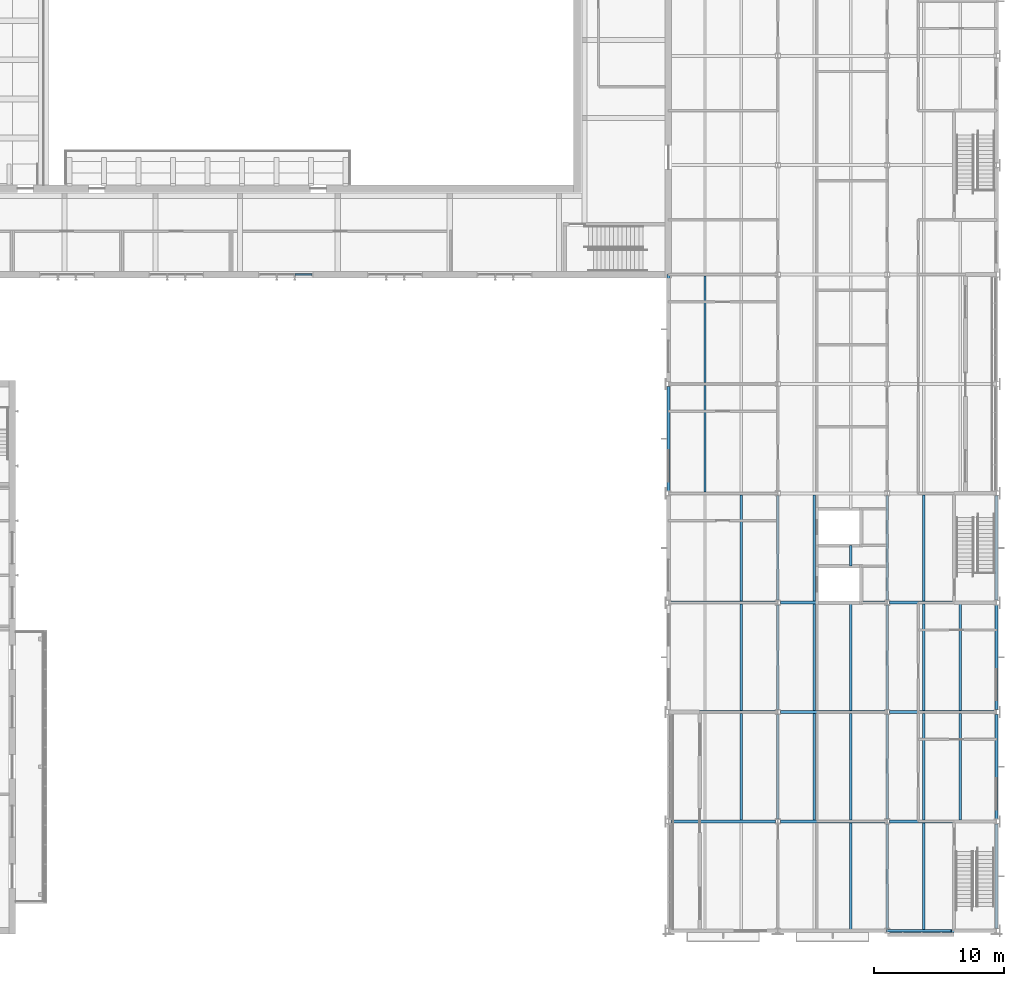
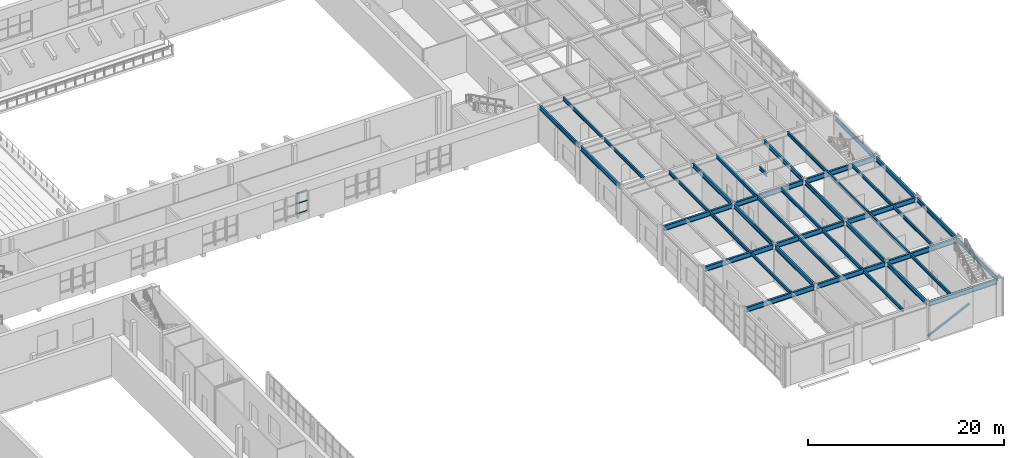
# One storey, part 25 of 127: 41 beams, 4 members, 1 element without a shape of its own.
"""IFC4 building model written with IfcOpenShell, lengths in metres."""

from ifc_helpers import new_model, si_unit, direction, frame, origin, origin_2d, place, context, subcontext, project, spatial, rectangle, hollow_rectangle, i_section, extrude, material, material_profile, profile_set, type_object, element, aggregate, save


model = new_model("IFC4")

# Units and contexts
model_context = context("Model", 3, precision=1e-05, world=origin(), true_north=direction((0.0, 1.0)))
body_context = subcontext(model_context, "Body", "Model", "MODEL_VIEW")
ifc_project = project(units=[si_unit("LENGTHUNIT", "METRE"), si_unit("AREAUNIT", "SQUARE_METRE"), si_unit("VOLUMEUNIT", "CUBIC_METRE"), si_unit("PLANEANGLEUNIT", "RADIAN"), si_unit("MASSUNIT", "GRAM", prefix="KILO")], contexts=[model_context])

# Site, building, storey
site_placement = place(None, origin())
site = spatial("IfcSite", under=ifc_project, at=site_placement, CompositionType="ELEMENT")
building_placement = place(site_placement, origin())
building = spatial("IfcBuilding", under=site, at=building_placement, Name="Ljudholm Concert House", CompositionType="ELEMENT")
storey_placement = place(building_placement, frame((0.0, 0.0, 5.39990234375)))
storey = spatial("IfcBuildingStorey", under=building, at=storey_placement, Name="L01", CompositionType="ELEMENT", Elevation=5.39990234375)

# Beams
ifc_material_1 = material(Name="Steel ASTM A992", Category="steel")
ifc_material_profile_1 = material_profile(ifc_material_1, i_section(OverallWidth=0.177734375, OverallDepth=0.406494140625, WebThickness=0.0078125, FlangeThickness=0.012939453125, FilletRadius=0.01025390625, at=origin_2d()), Name="W16X40")
ifc_profile_set_1 = profile_set([ifc_material_profile_1], Name="Steel ASTM A992")
beam_type_1 = type_object("IfcBeamType", Name="STEEL BEAM W16X40", PredefinedType="BEAM", material=ifc_profile_set_1)
for number, where, z_axis, x_axis, name in (
    (1, (102.0, 12.5146484375, 4.4169921875), (0.0, 1.0, 0.0), (-1.0, 0.0, 0.0), "Beam BOH-L02-sb-102-12.4"),
    (2, (102.0, 20.91455078125, 4.4169921875), (0.0, 1.0, 0.0), (-1.0, 0.0, 0.0), "Beam BOH-L02-sb-102-20.8"),
    (3, (102.0, 29.314453125, 4.4169921875), (0.0, 1.0, 0.0), (-1.0, 0.0, 0.0), "Beam BOH-L02-sb-102-29.2"),
    (4, (99.199951171875, 37.714599609375, 4.4169921875), (0.0, 1.0, 0.0), (-1.0, 0.0, 0.0), "Beam BOH-L02-sb-99.2-37.6"),
    (5, (99.199951171875, 46.114501953125, 4.4169921875), (0.0, 1.0, 0.0), (-1.0, 0.0, 0.0), "Beam BOH-L02-sb-99.2-46"),
    (6, (110.39990234375, 4.114501953125, 4.4169921875), (0.0, 1.0, 0.0), (-1.0, 0.0, 0.0), "Beam BOH-L02-sb-110.4-4"),
    (7, (107.60009765625, 12.5146484375, 4.4169921875), (0.0, 1.0, 0.0), (-1.0, 0.0, 0.0), "Beam BOH-L02-sb-107.6-12.4"),
    (8, (110.39990234375, 12.5146484375, 4.4169921875), (0.0, 1.0, 0.0), (-1.0, 0.0, 0.0), "Beam BOH-L02-sb-110.4-12.4"),
    (9, (107.60009765625, 20.91455078125, 4.4169921875), (0.0, 1.0, 0.0), (-1.0, 0.0, 0.0), "Beam BOH-L02-sb-107.6-20.8"),
    (10, (110.39990234375, 20.91455078125, 4.4169921875), (0.0, 1.0, 0.0), (-1.0, 0.0, 0.0), "Beam BOH-L02-sb-110.4-20.8"),
    (11, (107.60009765625, 29.314453125, 4.4169921875), (0.0, 1.0, 0.0), (-1.0, 0.0, 0.0), "Beam BOH-L02-sb-107.6-29.2"),
):
    element("IfcBeam", number, at=place(storey_placement, frame(where, z_axis=z_axis, x_axis=x_axis)), inside=storey, type_object=beam_type_1, Name=name, PredefinedType="BEAM", context=body_context, shape_type="SweptSolid", body=[
        extrude(i_section(OverallWidth=0.177734375, OverallDepth=0.406494140625, WebThickness=0.0078125, FlangeThickness=0.012939453125, FilletRadius=0.01025390625, at=origin_2d()), origin(), (0.0, 0.0, 1.0), 8.1708984375),
    ])
beam_1_placement = place(storey_placement, frame((110.39990234375, 32.0, 4.4169921875), z_axis=(0.0, 1.0, 0.0), x_axis=(-1.0, 0.0, 0.0)))
element("IfcBeam", 12, at=beam_1_placement, inside=storey, type_object=beam_type_1, Name="Beam BOH-L02-sb-110.4-29.2-1", PredefinedType="BEAM", context=body_context, shape_type="SweptSolid", body=[
    extrude(i_section(OverallWidth=0.177734375, OverallDepth=0.406494140625, WebThickness=0.0078125, FlangeThickness=0.012939453125, FilletRadius=0.01025390625, at=origin_2d()), origin(), (0.0, 0.0, 1.0), 1.60009765625),
])
for number, where, z_axis, x_axis, name in (
    (13, (116.0, 4.114501953125, 4.4169921875), (0.0, 1.0, 0.0), (-1.0, 0.0, 0.0), "Beam BOH-L02-sb-116-4"),
    (14, (116.0, 12.5146484375, 4.4169921875), (0.0, 1.0, 0.0), (-1.0, 0.0, 0.0), "Beam BOH-L02-sb-116-12.4"),
    (15, (118.800048828125, 12.5146484375, 4.4169921875), (0.0, 1.0, 0.0), (-1.0, 0.0, 0.0), "Beam BOH-L02-sb-118.8-12.4"),
    (16, (116.0, 20.91455078125, 4.4169921875), (0.0, 1.0, 0.0), (-1.0, 0.0, 0.0), "Beam BOH-L02-sb-116-20.8"),
    (17, (118.800048828125, 20.91455078125, 4.4169921875), (0.0, 1.0, 0.0), (-1.0, 0.0, 0.0), "Beam BOH-L02-sb-118.8-20.8"),
    (18, (116.0, 29.314453125, 4.4169921875), (0.0, 1.0, 0.0), (-1.0, 0.0, 0.0), "Beam BOH-L02-sb-116-29.2"),
):
    element("IfcBeam", number, at=place(storey_placement, frame(where, z_axis=z_axis, x_axis=x_axis)), inside=storey, type_object=beam_type_1, Name=name, PredefinedType="BEAM", context=body_context, shape_type="SweptSolid", body=[
        extrude(i_section(OverallWidth=0.177734375, OverallDepth=0.406494140625, WebThickness=0.0078125, FlangeThickness=0.012939453125, FilletRadius=0.01025390625, at=origin_2d()), origin(), (0.0, 0.0, 1.0), 8.1708984375),
    ])
ifc_material_2 = material(Name="Steel ASTM A992", Category="steel")
ifc_material_profile_2 = material_profile(ifc_material_2, i_section(OverallWidth=0.209228515625, OverallDepth=0.533447265625, WebThickness=0.01025390625, FlangeThickness=0.015625, FilletRadius=0.012939453125, at=origin_2d()), Name="W21X62")
ifc_profile_set_2 = profile_set([ifc_material_profile_2], Name="Steel ASTM A992")
beam_type_2 = type_object("IfcBeamType", Name="STEEL BEAM W21X62", PredefinedType="BEAM", material=ifc_profile_set_2)
beam_2_placement = place(storey_placement, frame((96.39990234375, 37.78662109375, 4.353515625), z_axis=(0.0, 1.0, 0.0), x_axis=(-1.0, 0.0, 0.0)))
element("IfcBeam", 19, at=beam_2_placement, inside=storey, type_object=beam_type_2, Name="Beam BOH-L02-gy-96.4-37.6", PredefinedType="BEAM", context=body_context, shape_type="SweptSolid", body=[
    extrude(i_section(OverallWidth=0.209228515625, OverallDepth=0.533447265625, WebThickness=0.01025390625, FlangeThickness=0.015625, FilletRadius=0.012939453125, at=origin_2d()), origin(), (0.0, 0.0, 1.0), 8.026611328125),
])
beam_3_placement = place(storey_placement, frame((96.39990234375, 46.186767578125, 4.353515625), z_axis=(0.0, 1.0, 0.0), x_axis=(-1.0, 0.0, 0.0)))
element("IfcBeam", 20, at=beam_3_placement, inside=storey, type_object=beam_type_2, Name="Beam BOH-L02-gy-96.4-46", PredefinedType="BEAM", context=body_context, shape_type="SweptSolid", body=[
    extrude(i_section(OverallWidth=0.209228515625, OverallDepth=0.533447265625, WebThickness=0.01025390625, FlangeThickness=0.015625, FilletRadius=0.012939453125, at=origin_2d()), origin(), (0.0, 0.0, 1.0), 8.213134765625),
])
beam_4_placement = place(storey_placement, frame((104.800048828125, 12.586669921875, 4.353515625), z_axis=(0.0, 1.0, 0.0), x_axis=(-1.0, 0.0, 0.0)))
element("IfcBeam", 21, at=beam_4_placement, inside=storey, type_object=beam_type_2, Name="Beam BOH-L02-gy-104.8-12.4", PredefinedType="BEAM", context=body_context, shape_type="SweptSolid", body=[
    extrude(i_section(OverallWidth=0.209228515625, OverallDepth=0.533447265625, WebThickness=0.01025390625, FlangeThickness=0.015625, FilletRadius=0.012939453125, at=origin_2d()), origin(), (0.0, 0.0, 1.0), 8.026611328125),
])
beam_5_placement = place(storey_placement, frame((104.800048828125, 20.986572265625, 4.353515625), z_axis=(0.0, 1.0, 0.0), x_axis=(-1.0, 0.0, 0.0)))
element("IfcBeam", 22, at=beam_5_placement, inside=storey, type_object=beam_type_2, Name="Beam BOH-L02-gy-104.8-20.8", PredefinedType="BEAM", context=body_context, shape_type="SweptSolid", body=[
    extrude(i_section(OverallWidth=0.209228515625, OverallDepth=0.533447265625, WebThickness=0.01025390625, FlangeThickness=0.015625, FilletRadius=0.012939453125, at=origin_2d()), origin(), (0.0, 0.0, 1.0), 8.02685546875),
])
for number, where, z_axis, x_axis, name in (
    (23, (104.800048828125, 29.38671875, 4.353515625), (0.0, 1.0, 0.0), (-1.0, 0.0, 0.0), "Beam BOH-L02-gy-104.8-29.2"),
    (24, (113.199951171875, 4.186767578125, 4.353515625), (0.0, 1.0, 0.0), (-1.0, 0.0, 0.0), "Beam BOH-L02-gy-113.2-4"),
    (25, (113.199951171875, 12.586669921875, 4.353515625), (0.0, 1.0, 0.0), (-1.0, 0.0, 0.0), "Beam BOH-L02-gy-113.2-12.4"),
):
    element("IfcBeam", number, at=place(storey_placement, frame(where, z_axis=z_axis, x_axis=x_axis)), inside=storey, type_object=beam_type_2, Name=name, PredefinedType="BEAM", context=body_context, shape_type="SweptSolid", body=[
        extrude(i_section(OverallWidth=0.209228515625, OverallDepth=0.533447265625, WebThickness=0.01025390625, FlangeThickness=0.015625, FilletRadius=0.012939453125, at=origin_2d()), origin(), (0.0, 0.0, 1.0), 8.026611328125),
    ])
beam_6_placement = place(storey_placement, frame((113.199951171875, 20.986572265625, 4.353515625), z_axis=(0.0, 1.0, 0.0), x_axis=(-1.0, 0.0, 0.0)))
element("IfcBeam", 26, at=beam_6_placement, inside=storey, type_object=beam_type_2, Name="Beam BOH-L02-gy-113.2-20.8", PredefinedType="BEAM", context=body_context, shape_type="SweptSolid", body=[
    extrude(i_section(OverallWidth=0.209228515625, OverallDepth=0.533447265625, WebThickness=0.01025390625, FlangeThickness=0.015625, FilletRadius=0.012939453125, at=origin_2d()), origin(), (0.0, 0.0, 1.0), 8.02685546875),
])
for number, where, z_axis, x_axis, name in (
    (27, (113.199951171875, 29.38671875, 4.353515625), (0.0, 1.0, 0.0), (-1.0, 0.0, 0.0), "Beam BOH-L02-gy-113.2-29.2"),
    (28, (121.60009765625, 4.186767578125, 4.353515625), (0.0, 1.0, 0.0), (-1.0, 0.0, 0.0), "Beam BOH-L02-gy-121.6-4"),
    (29, (121.60009765625, 12.586669921875, 4.353515625), (0.0, 1.0, 0.0), (-1.0, 0.0, 0.0), "Beam BOH-L02-gy-121.6-12.4"),
):
    element("IfcBeam", number, at=place(storey_placement, frame(where, z_axis=z_axis, x_axis=x_axis)), inside=storey, type_object=beam_type_2, Name=name, PredefinedType="BEAM", context=body_context, shape_type="SweptSolid", body=[
        extrude(i_section(OverallWidth=0.209228515625, OverallDepth=0.533447265625, WebThickness=0.01025390625, FlangeThickness=0.015625, FilletRadius=0.012939453125, at=origin_2d()), origin(), (0.0, 0.0, 1.0), 8.026611328125),
    ])
beam_7_placement = place(storey_placement, frame((121.60009765625, 20.986572265625, 4.353515625), z_axis=(0.0, 1.0, 0.0), x_axis=(-1.0, 0.0, 0.0)))
element("IfcBeam", 30, at=beam_7_placement, inside=storey, type_object=beam_type_2, Name="Beam BOH-L02-gy-121.6-20.8", PredefinedType="BEAM", context=body_context, shape_type="SweptSolid", body=[
    extrude(i_section(OverallWidth=0.209228515625, OverallDepth=0.533447265625, WebThickness=0.01025390625, FlangeThickness=0.015625, FilletRadius=0.012939453125, at=origin_2d()), origin(), (0.0, 0.0, 1.0), 8.02685546875),
])
beam_8_placement = place(storey_placement, frame((121.60009765625, 29.38671875, 4.353515625), z_axis=(0.0, 1.0, 0.0), x_axis=(-1.0, 0.0, 0.0)))
element("IfcBeam", 31, at=beam_8_placement, inside=storey, type_object=beam_type_2, Name="Beam BOH-L02-gy-121.6-29.2", PredefinedType="BEAM", context=body_context, shape_type="SweptSolid", body=[
    extrude(i_section(OverallWidth=0.209228515625, OverallDepth=0.533447265625, WebThickness=0.01025390625, FlangeThickness=0.015625, FilletRadius=0.012939453125, at=origin_2d()), origin(), (0.0, 0.0, 1.0), 8.026611328125),
])
ifc_material_3 = material(Name="Steel ASTM A992", Category="steel")
ifc_material_profile_3 = material_profile(ifc_material_3, i_section(OverallWidth=0.22900390625, OverallDepth=0.612060546875, WebThickness=0.011962890625, FlangeThickness=0.01953125, FilletRadius=0.0126953125, at=origin_2d()), Name="W24X84")
ifc_profile_set_3 = profile_set([ifc_material_profile_3], Name="Steel ASTM A992")
beam_type_3 = type_object("IfcBeamType", Name="STEEL BEAM W24X84", PredefinedType="BEAM", material=ifc_profile_set_3)
for number, where, z_axis, x_axis, name in (
    (32, (113.38671875, 4.0, 4.31396484375), (1.0, 0.0, 0.0), (0.0, 1.0, 0.0), "Beam BOH-L02-gx-113.2-4"),
    (33, (96.586669921875, 12.39990234375, 4.31396484375), (1.0, 0.0, 0.0), (0.0, 1.0, 0.0), "Beam BOH-L02-gx-96.4-12.4"),
):
    element("IfcBeam", number, at=place(storey_placement, frame(where, z_axis=z_axis, x_axis=x_axis)), inside=storey, type_object=beam_type_3, Name=name, PredefinedType="BEAM", context=body_context, shape_type="SweptSolid", body=[
        extrude(i_section(OverallWidth=0.22900390625, OverallDepth=0.612060546875, WebThickness=0.011962890625, FlangeThickness=0.01953125, FilletRadius=0.0126953125, at=origin_2d()), origin(), (0.0, 0.0, 1.0), 8.026611328125),
    ])
beam_9_placement = place(storey_placement, frame((104.986572265625, 12.39990234375, 4.31396484375), z_axis=(1.0, 0.0, 0.0), x_axis=(0.0, 1.0, 0.0)))
element("IfcBeam", 34, at=beam_9_placement, inside=storey, type_object=beam_type_3, Name="Beam BOH-L02-gx-104.8-12.4", PredefinedType="BEAM", context=body_context, shape_type="SweptSolid", body=[
    extrude(i_section(OverallWidth=0.22900390625, OverallDepth=0.612060546875, WebThickness=0.011962890625, FlangeThickness=0.01953125, FilletRadius=0.0126953125, at=origin_2d()), origin(), (0.0, 0.0, 1.0), 8.02685546875),
])
for number, where, z_axis, x_axis, name in (
    (35, (113.38671875, 12.39990234375, 4.31396484375), (1.0, 0.0, 0.0), (0.0, 1.0, 0.0), "Beam BOH-L02-gx-113.2-12.4"),
    (36, (96.586669921875, 20.800048828125, 4.31396484375), (1.0, 0.0, 0.0), (0.0, 1.0, 0.0), "Beam BOH-L02-gx-96.4-20.8"),
):
    element("IfcBeam", number, at=place(storey_placement, frame(where, z_axis=z_axis, x_axis=x_axis)), inside=storey, type_object=beam_type_3, Name=name, PredefinedType="BEAM", context=body_context, shape_type="SweptSolid", body=[
        extrude(i_section(OverallWidth=0.22900390625, OverallDepth=0.612060546875, WebThickness=0.011962890625, FlangeThickness=0.01953125, FilletRadius=0.0126953125, at=origin_2d()), origin(), (0.0, 0.0, 1.0), 8.026611328125),
    ])
beam_10_placement = place(storey_placement, frame((104.986572265625, 20.800048828125, 4.31396484375), z_axis=(1.0, 0.0, 0.0), x_axis=(0.0, 1.0, 0.0)))
element("IfcBeam", 37, at=beam_10_placement, inside=storey, type_object=beam_type_3, Name="Beam BOH-L02-gx-104.8-20.8", PredefinedType="BEAM", context=body_context, shape_type="SweptSolid", body=[
    extrude(i_section(OverallWidth=0.22900390625, OverallDepth=0.612060546875, WebThickness=0.011962890625, FlangeThickness=0.01953125, FilletRadius=0.0126953125, at=origin_2d()), origin(), (0.0, 0.0, 1.0), 8.02685546875),
])
for number, where, z_axis, x_axis, name in (
    (38, (113.38671875, 20.800048828125, 4.31396484375), (1.0, 0.0, 0.0), (0.0, 1.0, 0.0), "Beam BOH-L02-gx-113.2-20.8"),
    (39, (96.586669921875, 29.199951171875, 4.31396484375), (1.0, 0.0, 0.0), (0.0, 1.0, 0.0), "Beam BOH-L02-gx-96.4-29.2"),
):
    element("IfcBeam", number, at=place(storey_placement, frame(where, z_axis=z_axis, x_axis=x_axis)), inside=storey, type_object=beam_type_3, Name=name, PredefinedType="BEAM", context=body_context, shape_type="SweptSolid", body=[
        extrude(i_section(OverallWidth=0.22900390625, OverallDepth=0.612060546875, WebThickness=0.011962890625, FlangeThickness=0.01953125, FilletRadius=0.0126953125, at=origin_2d()), origin(), (0.0, 0.0, 1.0), 8.026611328125),
    ])
beam_11_placement = place(storey_placement, frame((104.986572265625, 29.199951171875, 4.31396484375), z_axis=(1.0, 0.0, 0.0), x_axis=(0.0, 1.0, 0.0)))
element("IfcBeam", 40, at=beam_11_placement, inside=storey, type_object=beam_type_3, Name="Beam BOH-L02-gx-104.8-29.2", PredefinedType="BEAM", context=body_context, shape_type="SweptSolid", body=[
    extrude(i_section(OverallWidth=0.22900390625, OverallDepth=0.612060546875, WebThickness=0.011962890625, FlangeThickness=0.01953125, FilletRadius=0.0126953125, at=origin_2d()), origin(), (0.0, 0.0, 1.0), 8.02685546875),
])
beam_12_placement = place(storey_placement, frame((113.38671875, 29.199951171875, 4.31396484375), z_axis=(1.0, 0.0, 0.0), x_axis=(0.0, 1.0, 0.0)))
element("IfcBeam", 41, at=beam_12_placement, inside=storey, type_object=beam_type_3, Name="Beam BOH-L02-gx-113.2-29.2", PredefinedType="BEAM", context=body_context, shape_type="SweptSolid", body=[
    extrude(i_section(OverallWidth=0.22900390625, OverallDepth=0.612060546875, WebThickness=0.011962890625, FlangeThickness=0.01953125, FilletRadius=0.0126953125, at=origin_2d()), origin(), (0.0, 0.0, 1.0), 8.026611328125),
])

# Member
ifc_material_4 = material(Name="Steel ASTM A500 Gr. C", Category="steel")
ifc_material_profile_4 = material_profile(ifc_material_4, hollow_rectangle(XDim=0.203125, YDim=0.203125, WallThickness=0.01171875, InnerFilletRadius=0.005859375, OuterFilletRadius=0.017822265625, at=origin_2d()), Name="HSS8X8X1/2")
ifc_profile_set_4 = profile_set([ifc_material_profile_4], Name="Steel ASTM A500 Gr. C")
member_type_1 = type_object("IfcMemberType", Name="STEEL MEMBER HSS8X8X1/2 BRACE", PredefinedType="BRACE", material=ifc_profile_set_4)
member_1_placement = place(storey_placement, frame((113.199951171875, 4.0, 0.300048828125), z_axis=(0.90202329703, 0.0, 0.431687354012), x_axis=(0.0, 1.0, 0.0)))
element("IfcMember", 42, at=member_1_placement, inside=storey, type_object=member_type_1, Name="Brace", PredefinedType="BRACE", context=body_context, shape_type="SweptSolid", body=[
    extrude(hollow_rectangle(XDim=0.203125, YDim=0.203125, WallThickness=0.01171875, InnerFilletRadius=0.005859375, OuterFilletRadius=0.017822265625, at=origin_2d()), origin(), (0.0, 0.0, 1.0), 5.476806640625),
])

# Curtain wall, members
ifc_material_5 = material(Name="Aluminium curtain wall with impact-rated laminated glass", Category="aluminium")
curtain_wall_type = type_object("IfcCurtainWallType", Name="CURTAIN WALL 1400", PredefinedType="NOTDEFINED", material=ifc_material_5)
curtain_wall_placement = place(storey_placement, origin())
curtain_wall = element("IfcCurtainWall", 43, at=curtain_wall_placement, inside=storey, type_object=curtain_wall_type, Name="Promenade curtain wall", PredefinedType="NOTDEFINED")
ifc_material_6 = material(Name="Aluminium extrusion", Category="aluminium")
ifc_material_profile_5 = material_profile(ifc_material_6, rectangle(XDim=0.1201171875, YDim=0.06005859375, at=origin_2d()), Name="TRANSOM 60x120")
ifc_profile_set_5 = profile_set([ifc_material_profile_5], Name="Aluminium extrusion")
member_type_2 = type_object("IfcMemberType", Name="TRANSOM 60x120", PredefinedType="USERDEFINED", material=ifc_profile_set_5)
member_2_placement = place(storey_placement, frame((67.719970703125, 54.39990234375, 0.93017578125), z_axis=(1.0, 0.0, 0.0), x_axis=(0.0, 1.0, 0.0)))
member_2 = element("IfcMember", 44, at=member_2_placement, type_object=member_type_2, Name="Transom", ObjectType="TRANSOM", PredefinedType="USERDEFINED", context=body_context, shape_type="SweptSolid", body=[
    extrude(rectangle(XDim=0.1201171875, YDim=0.06005859375, at=origin_2d()), origin(), (0.0, 0.0, 1.0), 1.2900390625),
])
member_3_placement = place(storey_placement, frame((67.719970703125, 54.39990234375, 2.2001953125), z_axis=(1.0, 0.0, 0.0), x_axis=(0.0, 1.0, 0.0)))
member_3 = element("IfcMember", 45, at=member_3_placement, type_object=member_type_2, Name="Transom", ObjectType="TRANSOM", PredefinedType="USERDEFINED", context=body_context, shape_type="SweptSolid", body=[
    extrude(rectangle(XDim=0.1201171875, YDim=0.06005859375, at=origin_2d()), origin(), (0.0, 0.0, 1.0), 1.2900390625),
])
member_4_placement = place(storey_placement, frame((67.719970703125, 54.39990234375, 3.47021484375), z_axis=(1.0, 0.0, 0.0), x_axis=(0.0, 1.0, 0.0)))
member_4 = element("IfcMember", 46, at=member_4_placement, type_object=member_type_2, Name="Transom", ObjectType="TRANSOM", PredefinedType="USERDEFINED", context=body_context, shape_type="SweptSolid", body=[
    extrude(rectangle(XDim=0.1201171875, YDim=0.06005859375, at=origin_2d()), origin(), (0.0, 0.0, 1.0), 1.2900390625),
])
aggregate(curtain_wall, [member_2, member_3, member_4])

save(model, "model.ifc")
